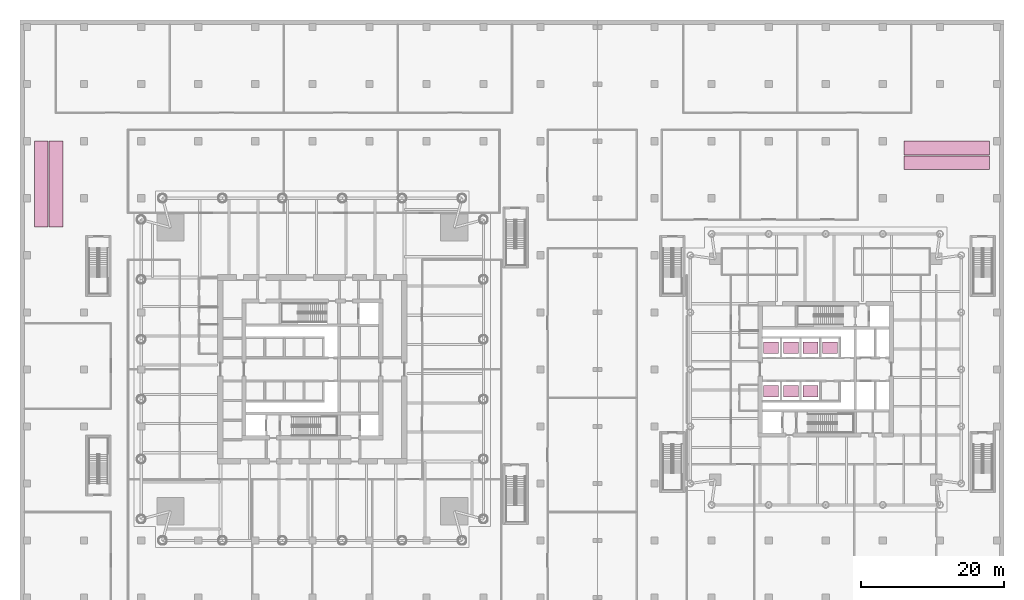
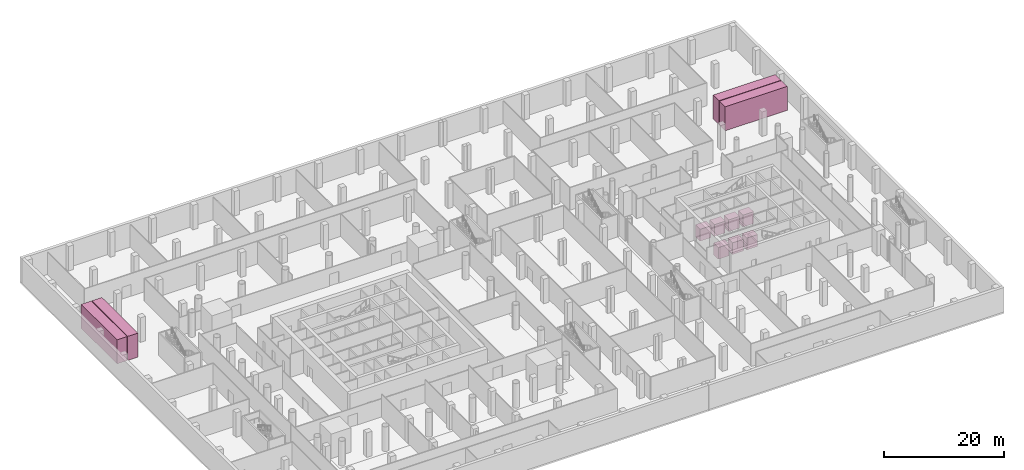
# One storey, part 22 of 22: 11 transport elements.
"""IFC4 building model written with IfcOpenShell, lengths in metres."""

from ifc_helpers import new_model, si_unit, direction, frame, origin, origin_2d, place, context, subcontext, project, spatial, rectangle, extrude, material, type_object, element, save


model = new_model("IFC4")

# Units and contexts
model_context = context("Model", 3, precision=1e-05, world=origin(), true_north=direction((0.0, 1.0)))
body_context = subcontext(model_context, "Body", "Model", "MODEL_VIEW")
ifc_project = project(units=[si_unit("LENGTHUNIT", "METRE"), si_unit("AREAUNIT", "SQUARE_METRE"), si_unit("VOLUMEUNIT", "CUBIC_METRE"), si_unit("PLANEANGLEUNIT", "RADIAN"), si_unit("MASSUNIT", "GRAM", prefix="KILO")], contexts=[model_context])

# Site, building, storey
site_placement = place(None, origin())
site = spatial("IfcSite", under=ifc_project, at=site_placement, CompositionType="ELEMENT")
building_placement = place(site_placement, origin())
building = spatial("IfcBuilding", under=site, at=building_placement, Name="Ostroluk Exchange", CompositionType="ELEMENT")
storey_placement = place(building_placement, frame((0.0, 0.0, -5.0)))
storey = spatial("IfcBuildingStorey", under=building, at=storey_placement, Name="B1", CompositionType="ELEMENT", Elevation=-5.0)

# Transport elements
ifc_material_1 = material(Name="Steel S355", Category="steel")
transport_element_type_1 = type_object("IfcTransportElementType", Name="Escalator 1000 step", PredefinedType="ESCALATOR", material=ifc_material_1)
for number, where, z_axis, x_axis, name in (
    (1, (6.97509765625, 72.0, 0.0), (0.0, 0.0, 1.0), (1.0, 0.0, 0.0), "Escalator ES1 up"),
    (2, (9.02490234375, 72.0, 0.0), (0.0, 0.0, 1.0), (1.0, 0.0, 0.0), "Escalator ES1 down"),
):
    element("IfcTransportElement", number, at=place(storey_placement, frame(where, z_axis=z_axis, x_axis=x_axis)), inside=storey, type_object=transport_element_type_1, Name=name, PredefinedType="ESCALATOR", context=body_context, shape_type="SweptSolid", body=[
        extrude(rectangle(XDim=1.949951171875, YDim=12.0, at=origin_2d()), origin(), (0.0, 0.0, 1.0), 4.89990234375),
    ])
for number, where, z_axis, x_axis, name in (
    (3, (134.0, 74.97509765625, 0.0), (0.0, 0.0, 1.0), (1.0, 0.0, 0.0), "Escalator ES4 up"),
    (4, (134.0, 77.02490234375, 0.0), (0.0, 0.0, 1.0), (1.0, 0.0, 0.0), "Escalator ES4 down"),
):
    element("IfcTransportElement", number, at=place(storey_placement, frame(where, z_axis=z_axis, x_axis=x_axis)), inside=storey, type_object=transport_element_type_1, Name=name, PredefinedType="ESCALATOR", context=body_context, shape_type="SweptSolid", body=[
        extrude(rectangle(XDim=12.0, YDim=1.949951171875, at=origin_2d()), origin(), (0.0, 0.0, 1.0), 4.89990234375),
    ])
ifc_material_2 = material(Name="Steel S355", Category="steel")
transport_element_type_2 = type_object("IfcTransportElementType", Name="Passenger lift 1600 kg", PredefinedType="ELEVATOR", material=ifc_material_2)
for number, where, z_axis, x_axis, name in (
    (5, (109.35009765625, 49.050048828125, 0.0), (0.0, 0.0, 1.0), (1.0, 0.0, 0.0), "Lift HL1"),
    (6, (112.10009765625, 49.050048828125, 0.0), (0.0, 0.0, 1.0), (1.0, 0.0, 0.0), "Lift HL2"),
    (7, (114.85009765625, 49.050048828125, 0.0), (0.0, 0.0, 1.0), (1.0, 0.0, 0.0), "Lift HL3"),
    (8, (117.60009765625, 49.050048828125, 0.0), (0.0, 0.0, 1.0), (1.0, 0.0, 0.0), "Lift HL4"),
    (9, (109.35009765625, 42.949951171875, 0.0), (0.0, 0.0, 1.0), (1.0, 0.0, 0.0), "Lift HL5"),
    (10, (112.10009765625, 42.949951171875, 0.0), (0.0, 0.0, 1.0), (1.0, 0.0, 0.0), "Lift HL6"),
    (11, (114.85009765625, 42.949951171875, 0.0), (0.0, 0.0, 1.0), (1.0, 0.0, 0.0), "Lift HL7"),
):
    element("IfcTransportElement", number, at=place(storey_placement, frame(where, z_axis=z_axis, x_axis=x_axis)), inside=storey, type_object=transport_element_type_2, Name=name, PredefinedType="ELEVATOR", context=body_context, shape_type="SweptSolid", body=[
        extrude(rectangle(XDim=2.10009765625, YDim=1.60009765625, at=origin_2d()), origin(), (0.0, 0.0, 1.0), 2.39990234375),
    ])

save(model, "model.ifc")
